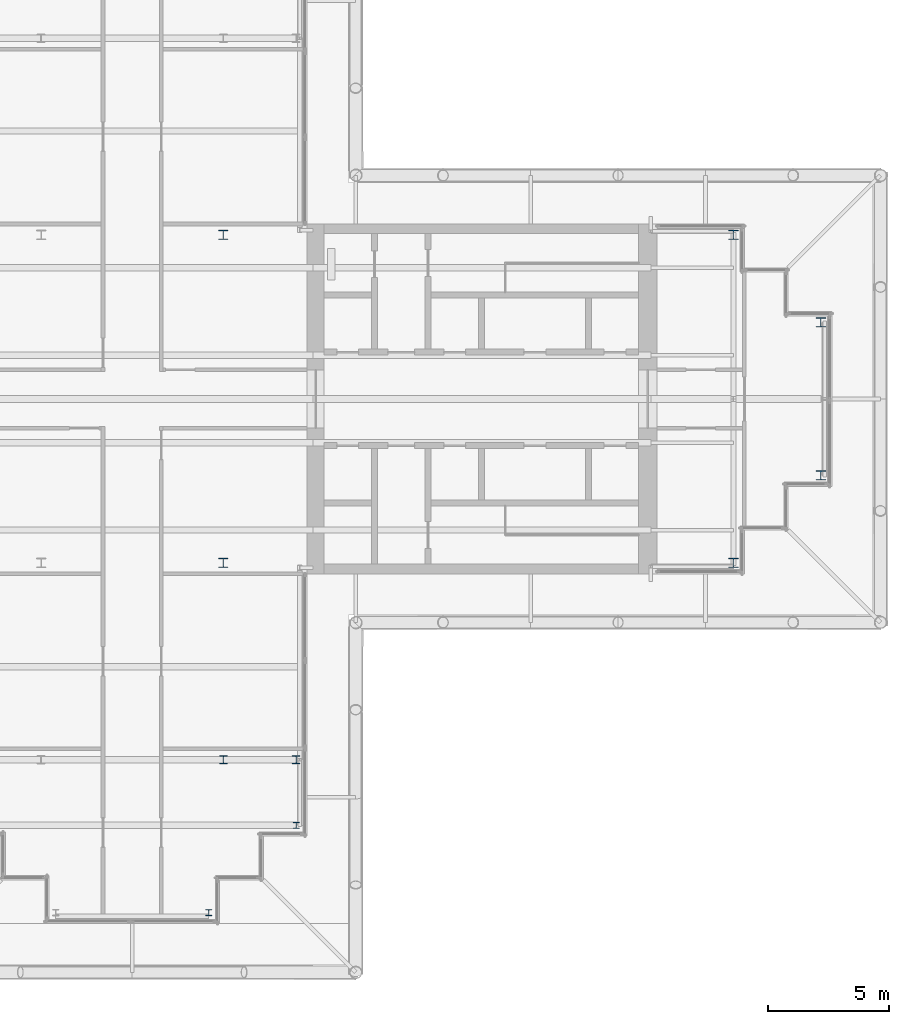
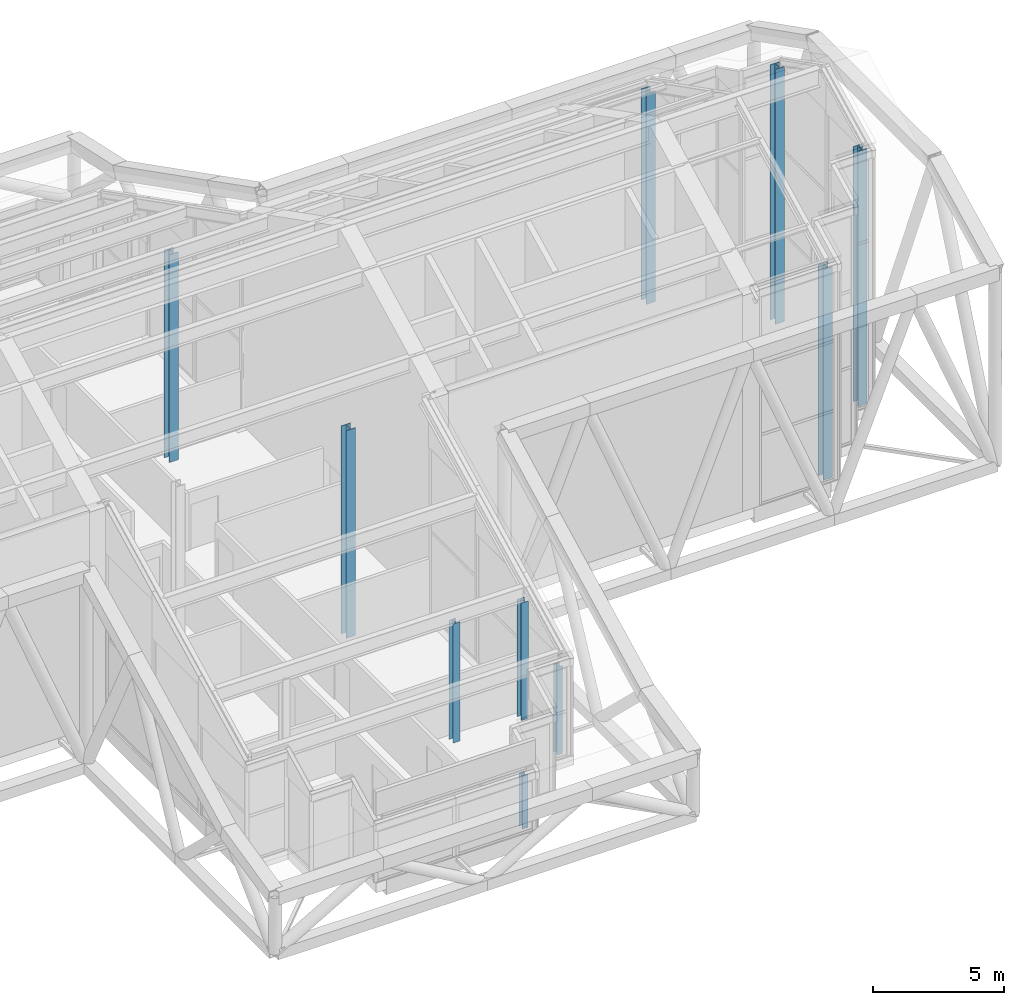
# One storey, part 2 of 25: 10 columns.
"""IFC4 building model written with IfcOpenShell, lengths in metres."""

from ifc_helpers import new_model, si_unit, direction, frame, origin, origin_2d, place, context, subcontext, project, spatial, i_section, extrude, material, material_profile, profile_set, type_object, element, save


model = new_model("IFC4")

# Units and contexts
model_context = context("Model", 3, precision=1e-05, world=origin(), true_north=direction((0.0, 1.0)))
body_context = subcontext(model_context, "Body", "Model", "MODEL_VIEW")
ifc_project = project(units=[si_unit("LENGTHUNIT", "METRE"), si_unit("AREAUNIT", "SQUARE_METRE"), si_unit("VOLUMEUNIT", "CUBIC_METRE"), si_unit("PLANEANGLEUNIT", "RADIAN"), si_unit("MASSUNIT", "GRAM", prefix="KILO")], contexts=[model_context])

# Site, building, storey
site_placement = place(None, origin())
site = spatial("IfcSite", under=ifc_project, at=site_placement, CompositionType="ELEMENT")
building_placement = place(site_placement, origin())
building = spatial("IfcBuilding", under=site, at=building_placement, Name="Fustian Cross Tower", CompositionType="ELEMENT")
storey_placement = place(building_placement, frame((0.0, 0.0, 247.5)))
storey = spatial("IfcBuildingStorey", under=building, at=storey_placement, Name="L77", CompositionType="ELEMENT", Elevation=247.5)

# Columns
ifc_material_1 = material(Name="Steel S355", Category="steel")
ifc_material_profile_1 = material_profile(ifc_material_1, i_section(OverallWidth=0.25634765625, OverallDepth=0.26025390625, WebThickness=0.01025390625, FlangeThickness=0.017333984375, FilletRadius=0.0126953125, at=origin_2d()), Name="UC 254x254x89")
ifc_profile_set_1 = profile_set([ifc_material_profile_1], Name="Steel S355")
column_type_1 = type_object("IfcColumnType", Name="COLUMN UC 254x254x89 S355", PredefinedType="COLUMN", material=ifc_profile_set_1)
column_1_placement = place(storey_placement, frame((3.14990234375, -21.14990234375, 0.0), z_axis=(0.0, 0.0, 1.0), x_axis=(1.0, 0.0, 0.0)))
element("IfcColumn", 1, at=column_1_placement, inside=storey, type_object=column_type_1, Name="COLUMN 034", PredefinedType="COLUMN", context=body_context, shape_type="SweptSolid", body=[
    extrude(i_section(OverallWidth=0.25634765625, OverallDepth=0.26025390625, WebThickness=0.01025390625, FlangeThickness=0.017333984375, FilletRadius=0.0126953125, at=origin_2d()), origin(), (0.0, 0.0, 1.0), 2.47900390625),
])
column_2_placement = place(storey_placement, frame((6.75, -17.550048828125, 0.0), z_axis=(0.0, 0.0, 1.0), x_axis=(1.0, 0.0, 0.0)))
element("IfcColumn", 2, at=column_2_placement, inside=storey, type_object=column_type_1, Name="COLUMN 045", PredefinedType="COLUMN", context=body_context, shape_type="SweptSolid", body=[
    extrude(i_section(OverallWidth=0.25634765625, OverallDepth=0.26025390625, WebThickness=0.01025390625, FlangeThickness=0.017333984375, FilletRadius=0.0126953125, at=origin_2d()), origin(), (0.0, 0.0, 1.0), 4.086669921875),
])
ifc_material_2 = material(Name="Steel S355", Category="steel")
ifc_material_profile_2 = material_profile(ifc_material_2, i_section(OverallWidth=0.30908203125, OverallDepth=0.320556640625, WebThickness=0.013916015625, FlangeThickness=0.021728515625, FilletRadius=0.01513671875, at=origin_2d()), Name="UC 305x305x137")
ifc_profile_set_2 = profile_set([ifc_material_profile_2], Name="Steel S355")
column_type_2 = type_object("IfcColumnType", Name="COLUMN UC 305x305x137 S355", PredefinedType="COLUMN", material=ifc_profile_set_2)
column_3_placement = place(storey_placement, frame((3.75, -14.85009765625, 0.0), z_axis=(0.0, 0.0, 1.0), x_axis=(1.0, 0.0, 0.0)))
element("IfcColumn", 3, at=column_3_placement, inside=storey, type_object=column_type_2, Name="COLUMN 037", PredefinedType="COLUMN", context=body_context, shape_type="SweptSolid", body=[
    extrude(i_section(OverallWidth=0.30908203125, OverallDepth=0.320556640625, WebThickness=0.013916015625, FlangeThickness=0.021728515625, FilletRadius=0.01513671875, at=origin_2d()), origin(), (0.0, 0.0, 1.0), 5.53759765625),
])
column_4_placement = place(storey_placement, frame((6.75, -14.85009765625, 0.0), z_axis=(0.0, 0.0, 1.0), x_axis=(1.0, 0.0, 0.0)))
element("IfcColumn", 4, at=column_4_placement, inside=storey, type_object=column_type_2, Name="COLUMN 046", PredefinedType="COLUMN", context=body_context, shape_type="SweptSolid", body=[
    extrude(i_section(OverallWidth=0.30908203125, OverallDepth=0.320556640625, WebThickness=0.013916015625, FlangeThickness=0.021728515625, FilletRadius=0.01513671875, at=origin_2d()), origin(), (0.0, 0.0, 1.0), 5.461669921875),
])
ifc_material_3 = material(Name="Steel S355", Category="steel")
ifc_material_profile_3 = material_profile(ifc_material_3, i_section(OverallWidth=0.39892578125, OverallDepth=0.3935546875, WebThickness=0.022705078125, FlangeThickness=0.03662109375, FilletRadius=0.01513671875, at=origin_2d()), Name="UC 356x406x287")
ifc_profile_set_3 = profile_set([ifc_material_profile_3], Name="Steel S355")
column_type_3 = type_object("IfcColumnType", Name="COLUMN UC 356x406x287 S355", PredefinedType="COLUMN", material=ifc_profile_set_3)
for number, where, z_axis, x_axis, name in (
    (5, (3.75, -6.75, 0.0), (0.0, 0.0, 1.0), (1.0, 0.0, 0.0), "COLUMN 038"),
    (6, (3.75, 6.75, 0.0), (0.0, 0.0, 1.0), (1.0, 0.0, 0.0), "COLUMN 039"),
):
    element("IfcColumn", number, at=place(storey_placement, frame(where, z_axis=z_axis, x_axis=x_axis)), inside=storey, type_object=column_type_3, Name=name, PredefinedType="COLUMN", context=body_context, shape_type="SweptSolid", body=[
        extrude(i_section(OverallWidth=0.39892578125, OverallDepth=0.3935546875, WebThickness=0.022705078125, FlangeThickness=0.03662109375, FilletRadius=0.01513671875, at=origin_2d()), origin(), (0.0, 0.0, 1.0), 9.66259765625),
    ])
for number, where, z_axis, x_axis, name in (
    (7, (24.75, -6.75, 0.0), (0.0, 0.0, 1.0), (1.0, 0.0, 0.0), "COLUMN 053"),
    (8, (24.75, 6.75, 0.0), (0.0, 0.0, 1.0), (1.0, 0.0, 0.0), "COLUMN 054"),
):
    element("IfcColumn", number, at=place(storey_placement, frame(where, z_axis=z_axis, x_axis=x_axis)), inside=storey, type_object=column_type_3, Name=name, PredefinedType="COLUMN", context=body_context, shape_type="SweptSolid", body=[
        extrude(i_section(OverallWidth=0.39892578125, OverallDepth=0.3935546875, WebThickness=0.022705078125, FlangeThickness=0.03662109375, FilletRadius=0.01513671875, at=origin_2d()), origin(), (0.0, 0.0, 1.0), 9.812255859375),
    ])
for number, where, z_axis, x_axis, name in (
    (9, (28.35009765625, -3.14990234375, 0.0), (0.0, 0.0, 1.0), (1.0, 0.0, 0.0), "COLUMN 056"),
    (10, (28.35009765625, 3.14990234375, 0.0), (0.0, 0.0, 1.0), (1.0, 0.0, 0.0), "COLUMN 057"),
):
    element("IfcColumn", number, at=place(storey_placement, frame(where, z_axis=z_axis, x_axis=x_axis)), inside=storey, type_object=column_type_3, Name=name, PredefinedType="COLUMN", context=body_context, shape_type="SweptSolid", body=[
        extrude(i_section(OverallWidth=0.39892578125, OverallDepth=0.3935546875, WebThickness=0.022705078125, FlangeThickness=0.03662109375, FilletRadius=0.01513671875, at=origin_2d()), origin(), (0.0, 0.0, 1.0), 11.861328125),
    ])

save(model, "model.ifc")
